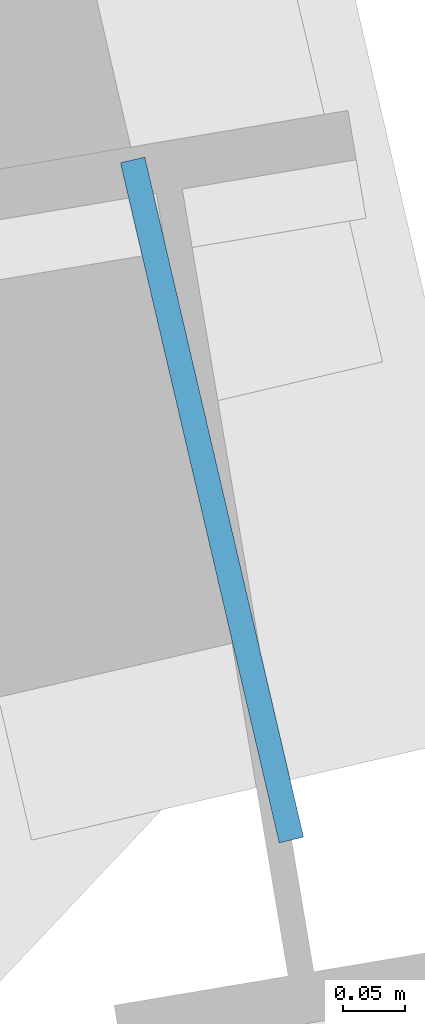
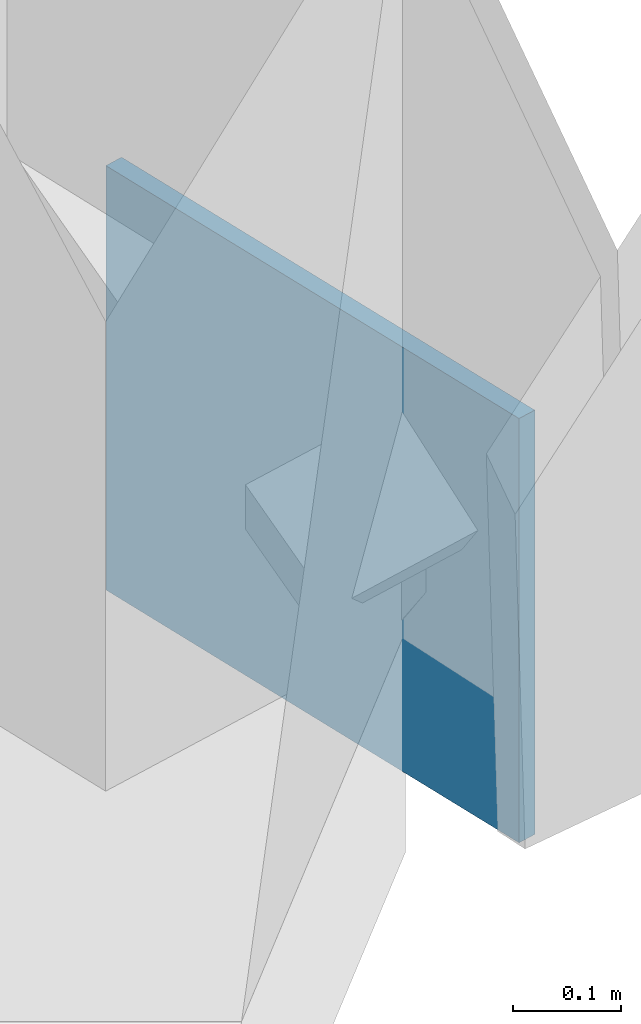
# One storey, part 11 of 21: 1 plate.
"""IFC4 building model written with IfcOpenShell, lengths in metres."""

from ifc_helpers import new_model, si_unit, direction, frame, origin, origin_2d, place, context, subcontext, project, spatial, rectangle, extrude, source, transform, mapped, material, type_object, element, save


model = new_model("IFC4")

# Units and contexts
model_context = context("Model", 3, precision=1e-05, world=origin(), true_north=direction((0.0, 1.0)))
body_context = subcontext(model_context, "Body", "Model", "MODEL_VIEW")
ifc_project = project(units=[si_unit("LENGTHUNIT", "METRE"), si_unit("AREAUNIT", "SQUARE_METRE"), si_unit("VOLUMEUNIT", "CUBIC_METRE"), si_unit("PLANEANGLEUNIT", "RADIAN"), si_unit("MASSUNIT", "GRAM", prefix="KILO")], contexts=[model_context])

# Site, building, storey
site_placement = place(None, origin())
site = spatial("IfcSite", under=ifc_project, at=site_placement, CompositionType="ELEMENT")
building_placement = place(site_placement, origin())
building = spatial("IfcBuilding", under=site, at=building_placement, Name="Olszyna Solenne Hotel", CompositionType="ELEMENT")
storey_placement = place(building_placement, frame((0.0, 0.0, 91.5)))
storey = spatial("IfcBuildingStorey", under=building, at=storey_placement, Name="L23", CompositionType="ELEMENT", Elevation=91.5)

# Plate
ifc_material = material(Name="Steel S355J2", Category="steel")
plate_type = type_object("IfcPlateType", Name="GP-ND2", PredefinedType="USERDEFINED", material=ifc_material)
shared_shape = source(origin(), body_context, "Body", "SweptSolid", [
    extrude(rectangle(XDim=0.56005859375, YDim=0.02001953125, at=origin_2d()), origin(), (0.0, 0.0, 1.0), 0.47998046875),
])
plate_placement = place(storey_placement, frame((67.9150390625, 31.635009765625, -0.151123046875), z_axis=(0.0, 0.0, 1.0), x_axis=(-0.227331215647, 0.973817497477, 0.0)))
element("IfcPlate", 1, at=plate_placement, inside=storey, type_object=plate_type, Name="Brace end connection gusset plate GP-ND2 EP-BR-L23-1-1", ObjectType="GUSSET_PLATE", PredefinedType="USERDEFINED", context=body_context, shape_type="MappedRepresentation", body=[
    mapped(shared_shape, transform((0.0, 0.0, 0.0), x_axis=(1.0, 0.0, 0.0), y_axis=(0.0, 1.0, 0.0), z_axis=(0.0, 0.0, 1.0), scale=1.0)),
])

save(model, "model.ifc")
